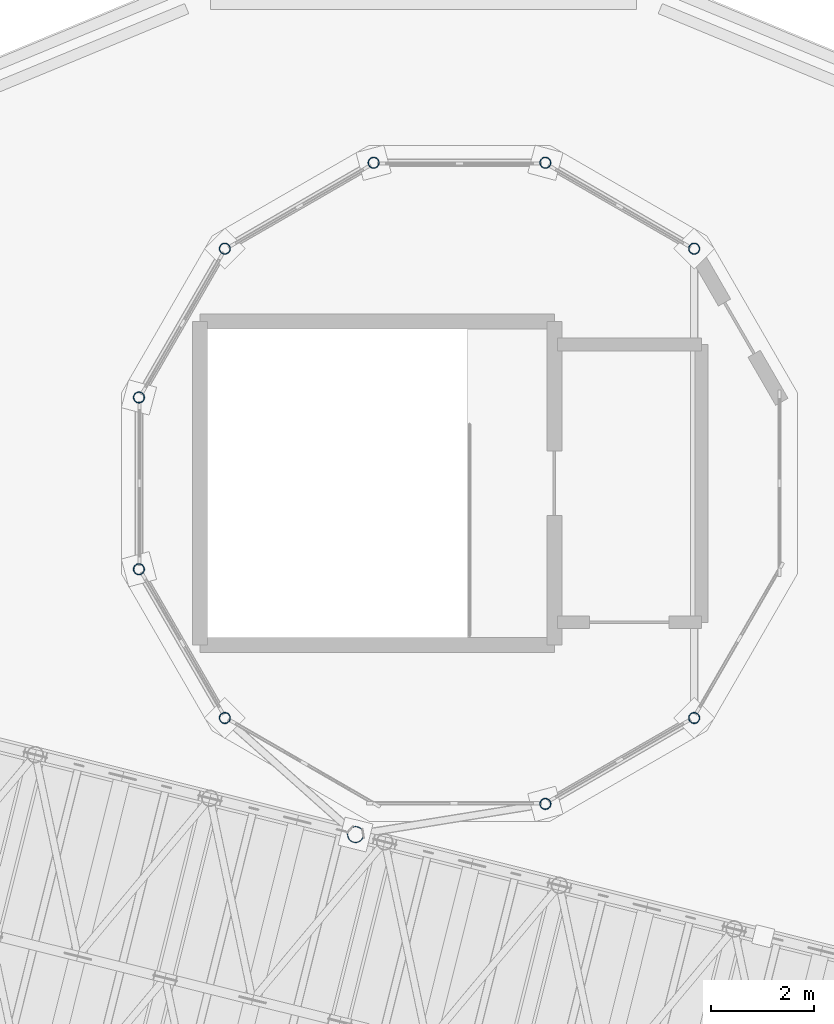
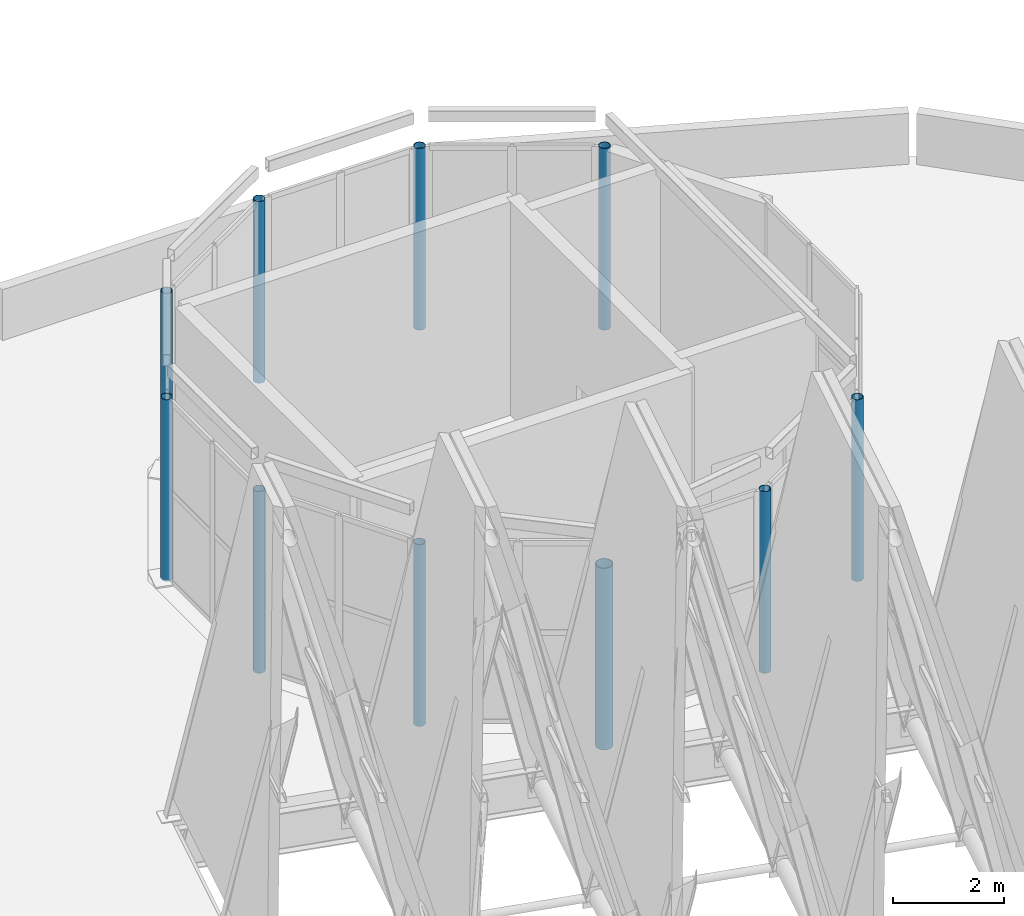
# One storey, part 6 of 51: 10 columns.
"""IFC4 building model written with IfcOpenShell, lengths in metres."""

from ifc_helpers import new_model, si_unit, direction, frame, origin, origin_2d, place, context, subcontext, project, spatial, hollow_circle, extrude, material, material_profile, profile_set, type_object, element, save


model = new_model("IFC4")

# Units and contexts
model_context = context("Model", 3, precision=1e-05, world=origin(), true_north=direction((0.0, 1.0)))
body_context = subcontext(model_context, "Body", "Model", "MODEL_VIEW")
ifc_project = project(units=[si_unit("LENGTHUNIT", "METRE"), si_unit("AREAUNIT", "SQUARE_METRE"), si_unit("VOLUMEUNIT", "CUBIC_METRE"), si_unit("PLANEANGLEUNIT", "RADIAN"), si_unit("MASSUNIT", "GRAM", prefix="KILO")], contexts=[model_context])

# Site, building, storey
site_placement = place(None, origin())
site = spatial("IfcSite", under=ifc_project, at=site_placement, CompositionType="ELEMENT")
building_placement = place(site_placement, origin())
building = spatial("IfcBuilding", under=site, at=building_placement, Name="Wrenclough Park School", CompositionType="ELEMENT")
storey_placement = place(building_placement, frame((0.0, 0.0, 16.800048828125)))
storey = spatial("IfcBuildingStorey", under=building, at=storey_placement, Name="L04", CompositionType="ELEMENT", Elevation=16.800048828125)

# Columns
ifc_material = material(Name="Structural steel S355", Category="steel")
ifc_material_profile_1 = material_profile(ifc_material, hollow_circle(Radius=0.109619140625, WallThickness=0.012451171875, at=origin_2d()), Name="CHS 219.1x12.5")
ifc_profile_set_1 = profile_set([ifc_material_profile_1], Name="Structural steel S355")
column_type_1 = type_object("IfcColumnType", Name="STR-COL-CHS219", PredefinedType="COLUMN", material=ifc_profile_set_1)
for number, where, z_axis, x_axis, name in (
    (1, (160.7607421875, 43.7607421875, 0.0), (0.0, 0.0, 1.0), (-0.707106781187, 0.707106781187, 0.0), "D1-SH L04 column D1SH-02"),
    (2, (157.869384765625, 45.43017578125, 0.0), (0.0, 0.0, 1.0), (-0.965925826289, 0.258819045103, 0.0), "D1-SH L04 column D1SH-03"),
    (3, (154.530517578125, 45.43017578125, 0.0), (0.0, 0.0, 1.0), (-0.965925826289, -0.258819045103, 0.0), "D1-SH L04 column D1SH-04"),
    (4, (151.63916015625, 43.7607421875, 0.0), (0.0, 0.0, 1.0), (-0.707106781187, -0.707106781187, 0.0), "D1-SH L04 column D1SH-05"),
    (5, (149.9697265625, 40.869384765625, 0.0), (0.0, 0.0, 1.0), (-0.258819045103, -0.965925826289, 0.0), "D1-SH L04 column D1SH-06"),
    (6, (149.9697265625, 37.530517578125, 0.0), (0.0, 0.0, 1.0), (0.258819045103, -0.965925826289, 0.0), "D1-SH L04 column D1SH-07"),
    (7, (151.63916015625, 34.63916015625, 0.0), (0.0, 0.0, 1.0), (0.707106781187, -0.707106781187, 0.0), "D1-SH L04 column D1SH-08"),
    (8, (157.869384765625, 32.9697265625, 0.0), (0.0, 0.0, 1.0), (0.965925826289, 0.258819045103, 0.0), "D1-SH L04 column D1SH-10"),
    (9, (160.7607421875, 34.63916015625, 0.0), (0.0, 0.0, 1.0), (0.707106781187, 0.707106781187, 0.0), "D1-SH L04 column D1SH-11"),
):
    element("IfcColumn", number, at=place(storey_placement, frame(where, z_axis=z_axis, x_axis=x_axis)), inside=storey, type_object=column_type_1, Name=name, PredefinedType="COLUMN", context=body_context, shape_type="SweptSolid", body=[
        extrude(hollow_circle(Radius=0.109619140625, WallThickness=0.012451171875, at=origin_2d()), origin(), (0.0, 0.0, 1.0), 4.0),
    ])
ifc_material_profile_2 = material_profile(ifc_material, hollow_circle(Radius=0.161865234375, WallThickness=0.01611328125, at=origin_2d()), Name="CHS 323.9x16.0")
ifc_profile_set_2 = profile_set([ifc_material_profile_2], Name="Structural steel S355")
column_type_2 = type_object("IfcColumnType", Name="STR-COL-CHS324", PredefinedType="COLUMN", material=ifc_profile_set_2)
column_placement = place(storey_placement, frame((154.1796875, 32.3740234375, 0.0), z_axis=(0.0, 0.0, 1.0), x_axis=(0.970295726276, -0.2419218956, 0.0)))
element("IfcColumn", 10, at=column_placement, inside=storey, type_object=column_type_2, Name="D1 L04 column D1HR-1-2", PredefinedType="COLUMN", context=body_context, shape_type="SweptSolid", body=[
    extrude(hollow_circle(Radius=0.161865234375, WallThickness=0.01611328125, at=origin_2d()), origin(), (0.0, 0.0, 1.0), 4.0),
])

save(model, "model.ifc")
